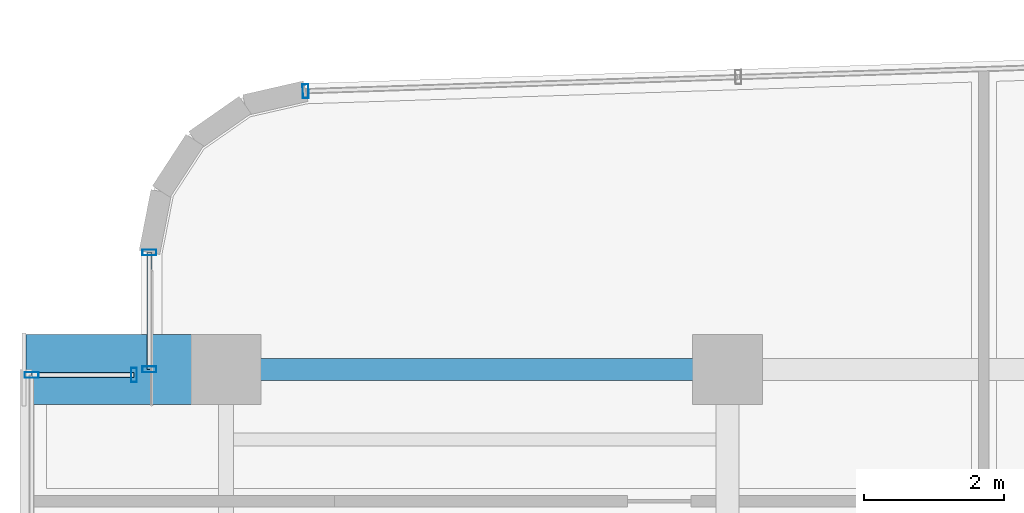
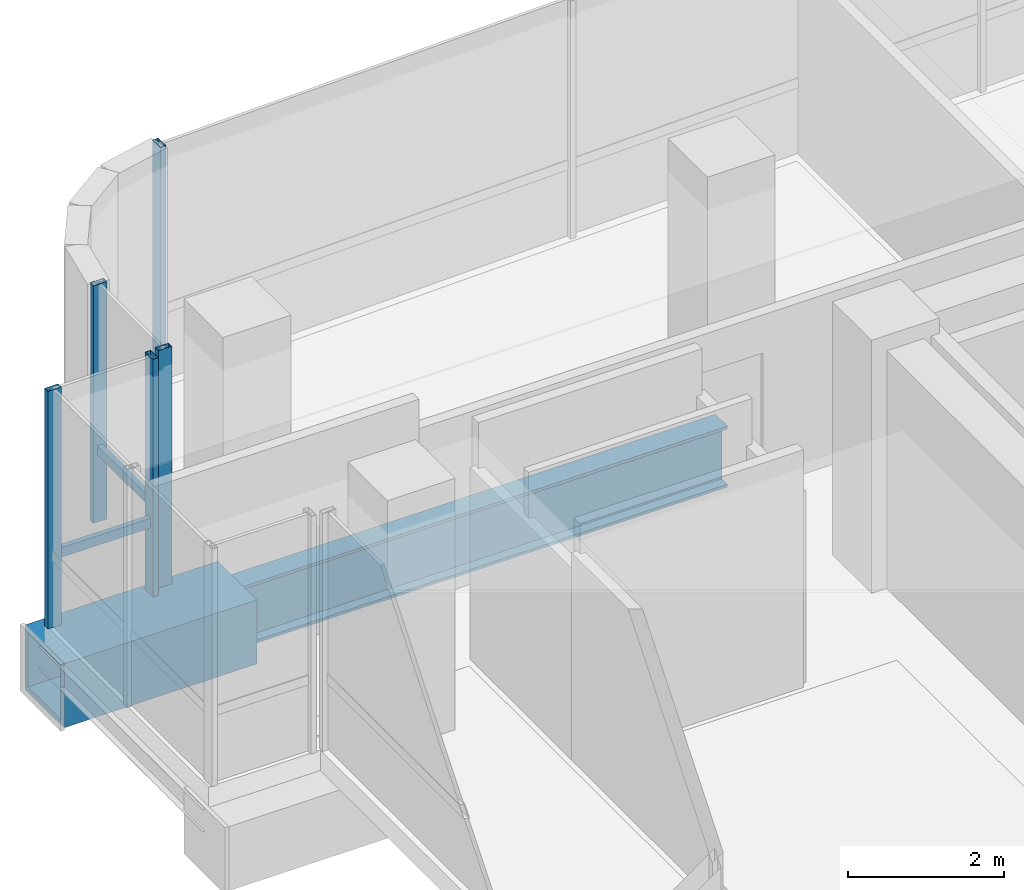
# One storey, part 18 of 35: 7 members, 2 beams, 4 elements without a shape of their own.
"""IFC4 building model written with IfcOpenShell, lengths in metres."""

from ifc_helpers import new_model, si_unit, direction, frame, origin, origin_2d, place, context, subcontext, project, spatial, hollow_rectangle, i_section, extrude, source, transform, mapped, material, material_profile, profile_set, type_object, element, aggregate, save


model = new_model("IFC4")

# Units and contexts
model_context = context("Model", 3, precision=1e-05, world=origin(), true_north=direction((0.0, 1.0)))
body_context = subcontext(model_context, "Body", "Model", "MODEL_VIEW")
ifc_project = project(units=[si_unit("LENGTHUNIT", "METRE"), si_unit("AREAUNIT", "SQUARE_METRE"), si_unit("VOLUMEUNIT", "CUBIC_METRE"), si_unit("PLANEANGLEUNIT", "RADIAN"), si_unit("MASSUNIT", "GRAM", prefix="KILO")], contexts=[model_context])

# Site, building, storey
site_placement = place(None, origin())
site = spatial("IfcSite", under=ifc_project, at=site_placement, CompositionType="ELEMENT")
building_placement = place(site_placement, origin())
building = spatial("IfcBuilding", under=site, at=building_placement, Name="Valdorenza Pilgrim Sanctuary Tower", CompositionType="ELEMENT")
storey_placement = place(building_placement, frame((0.0, 0.0, 192.35009765625)))
storey = spatial("IfcBuildingStorey", under=building, at=storey_placement, Name="L49", CompositionType="ELEMENT", Elevation=192.35009765625)

# Beams
ifc_material_1 = material(Name="Steel ASTM A572 Grade 42", Category="steel")
ifc_material_profile_1 = material_profile(ifc_material_1, hollow_rectangle(XDim=1.0, YDim=1.0, WallThickness=0.080078125, at=origin_2d()), Name="BOX 1000x1000x80")
ifc_profile_set_1 = profile_set([ifc_material_profile_1], Name="Steel ASTM A572 Grade 42")
beam_type_1 = type_object("IfcBeamType", Name="STR-BM-PROW-CANT", PredefinedType="BEAM", material=ifc_profile_set_1)
shared_shape_1 = source(origin(), body_context, "Body", "SweptSolid", [
    extrude(hollow_rectangle(XDim=1.0, YDim=1.0, WallThickness=0.080078125, at=origin_2d()), origin(), (0.0, 0.0, 1.0), 2.849853515625),
])
beam_1_placement = place(storey_placement, frame((-29.800048828125, 14.800048828125, -0.820068359375), z_axis=(-1.0, 0.0, 0.0), x_axis=(0.0, -1.0, 0.0)))
element("IfcBeam", 1, at=beam_1_placement, inside=storey, type_object=beam_type_1, Name="L49 Glass Box Cantilever Beam BOX-WA-L49-CT-N", PredefinedType="BEAM", context=body_context, shape_type="MappedRepresentation", body=[
    mapped(shared_shape_1, transform((0.0, 0.0, 0.0), x_axis=(1.0, 0.0, 0.0), y_axis=(0.0, 1.0, 0.0), z_axis=(0.0, 0.0, 1.0), scale=1.0)),
])
ifc_material_2 = material(Name="Steel ASTM A992 Grade 50", Category="steel")
ifc_material_profile_2 = material_profile(ifc_material_2, i_section(OverallWidth=0.31005859375, OverallDepth=0.949951171875, WebThickness=0.0244140625, FlangeThickness=0.0439453125, at=origin_2d()), Name="W36X256")
ifc_profile_set_2 = profile_set([ifc_material_profile_2], Name="Steel ASTM A992 Grade 50")
beam_type_2 = type_object("IfcBeamType", Name="STR-BM-GRD-W36B", PredefinedType="BEAM", material=ifc_profile_set_2)
shared_shape_2 = source(origin(), body_context, "Body", "SweptSolid", [
    extrude(i_section(OverallWidth=0.31005859375, OverallDepth=0.949951171875, WebThickness=0.0244140625, FlangeThickness=0.0439453125, at=origin_2d()), origin(), (0.0, 0.0, 1.0), 7.150146484375),
])
beam_2_placement = place(storey_placement, frame((-29.800048828125, 14.800048828125, -0.795166015625), z_axis=(1.0, 0.0, 0.0), x_axis=(0.0, 1.0, 0.0)))
element("IfcBeam", 2, at=beam_2_placement, inside=storey, type_object=beam_type_2, Name="L49 Floor Girder WA-XW-N2", PredefinedType="BEAM", context=body_context, shape_type="MappedRepresentation", body=[
    mapped(shared_shape_2, transform((0.0, 0.0, 0.0), x_axis=(1.0, 0.0, 0.0), y_axis=(0.0, 1.0, 0.0), z_axis=(0.0, 0.0, 1.0), scale=1.0)),
])

# Curtain wall, member
ifc_material_3 = material(Name="Curtain-wall IGU glazing", Category="glass")
curtain_wall_type = type_object("IfcCurtainWallType", Name="CW-SYS-02", PredefinedType="NOTDEFINED", material=ifc_material_3)
curtain_wall_1_placement = place(storey_placement, origin())
curtain_wall_1 = element("IfcCurtainWall", 3, at=curtain_wall_1_placement, inside=storey, type_object=curtain_wall_type, Name="L49 Curtain Wall CW-L49-BOX-WA-L49-N", PredefinedType="NOTDEFINED")
ifc_material_4 = material(Name="Anodised aluminium AW-6060", Category="aluminium")
ifc_material_profile_3 = material_profile(ifc_material_4, hollow_rectangle(XDim=0.074951171875, YDim=0.14990234375, WallThickness=0.00390625, at=origin_2d()), Name="ALU-T 150x75x4")
ifc_profile_set_3 = profile_set([ifc_material_profile_3], Name="Anodised aluminium AW-6060")
member_type_1 = type_object("IfcMemberType", Name="CW-TRN-02", PredefinedType="USERDEFINED", material=ifc_profile_set_3)
shared_shape_3 = source(origin(), body_context, "Body", "SweptSolid", [
    extrude(hollow_rectangle(XDim=0.074951171875, YDim=0.14990234375, WallThickness=0.00390625, at=origin_2d()), origin(), (0.0, 0.0, 1.0), 1.4599609375),
])
member_1_placement = place(storey_placement, frame((-32.570068359375, 14.719970703125, 1.119873046875), z_axis=(1.0, 0.0, 0.0), x_axis=(0.0, 1.0, 0.0)))
member_1 = element("IfcMember", 4, at=member_1_placement, type_object=member_type_1, Name="CW-L49-BOX-WA-L49-N Transom 1", ObjectType="TRANSOM", PredefinedType="USERDEFINED", context=body_context, shape_type="MappedRepresentation", body=[
    mapped(shared_shape_3, transform((0.0, 0.0, 0.0), x_axis=(1.0, 0.0, 0.0), y_axis=(0.0, 1.0, 0.0), z_axis=(0.0, 0.0, 1.0), scale=1.0)),
])

# Curtain wall, members
curtain_wall_2_placement = place(storey_placement, origin())
curtain_wall_2 = element("IfcCurtainWall", 5, at=curtain_wall_2_placement, inside=storey, type_object=curtain_wall_type, Name="L49 Curtain Wall CW-L49-1-1S2", PredefinedType="NOTDEFINED")
shared_shape_4 = source(origin(), body_context, "Body", "SweptSolid", [
    extrude(hollow_rectangle(XDim=0.074951171875, YDim=0.14990234375, WallThickness=0.00390625, at=origin_2d()), origin(), (0.0, 0.0, 1.0), 1.666259765625),
])
member_2_placement = place(storey_placement, frame((-30.889892578125, 14.800048828125, 1.119873046875), z_axis=(0.0, 1.0, 0.0), x_axis=(-1.0, 0.0, 0.0)))
member_2 = element("IfcMember", 6, at=member_2_placement, type_object=member_type_1, Name="CW-L49-1-1S2 Transom 1", ObjectType="TRANSOM", PredefinedType="USERDEFINED", context=body_context, shape_type="MappedRepresentation", body=[
    mapped(shared_shape_4, transform((0.0, 0.0, 0.0), x_axis=(1.0, 0.0, 0.0), y_axis=(0.0, 1.0, 0.0), z_axis=(0.0, 0.0, 1.0), scale=1.0)),
])
ifc_material_profile_4 = material_profile(ifc_material_4, hollow_rectangle(XDim=0.0849609375, YDim=0.199951171875, WallThickness=0.0048828125, at=origin_2d()), Name="ALU-M 200x85x5")
ifc_profile_set_4 = profile_set([ifc_material_profile_4], Name="Anodised aluminium AW-6060")
member_type_2 = type_object("IfcMemberType", Name="CW-MUL-02", PredefinedType="MULLION", material=ifc_profile_set_4)
shared_shape_5 = source(origin(), body_context, "Body", "SweptSolid", [
    extrude(hollow_rectangle(XDim=0.0849609375, YDim=0.199951171875, WallThickness=0.0048828125, at=origin_2d()), origin(), (0.0, 0.0, 1.0), 3.7099609375),
])
member_3_placement = place(storey_placement, frame((-30.889892578125, 14.800048828125, 0.0), z_axis=(0.0, 0.0, 1.0), x_axis=(0.0, 1.0, 0.0)))
member_3 = element("IfcMember", 7, at=member_3_placement, type_object=member_type_2, Name="CW-L49-1-1S2 Mullion 1", PredefinedType="MULLION", context=body_context, shape_type="MappedRepresentation", body=[
    mapped(shared_shape_5, transform((0.0, 0.0, 0.0), x_axis=(1.0, 0.0, 0.0), y_axis=(0.0, 1.0, 0.0), z_axis=(0.0, 0.0, 1.0), scale=1.0)),
])
member_4_placement = place(storey_placement, frame((-30.889892578125, 16.46630859375, 0.0), z_axis=(0.0, 0.0, 1.0), x_axis=(0.0, 1.0, 0.0)))
member_4 = element("IfcMember", 8, at=member_4_placement, type_object=member_type_2, Name="CW-L49-1-1S2 Mullion 2", PredefinedType="MULLION", context=body_context, shape_type="MappedRepresentation", body=[
    mapped(shared_shape_5, transform((0.0, 0.0, 0.0), x_axis=(1.0, 0.0, 0.0), y_axis=(0.0, 1.0, 0.0), z_axis=(0.0, 0.0, 1.0), scale=1.0)),
])
aggregate(curtain_wall_2, [member_3, member_4, member_2])

# Curtain wall, member
curtain_wall_3_placement = place(storey_placement, origin())
curtain_wall_3 = element("IfcCurtainWall", 9, at=curtain_wall_3_placement, inside=storey, type_object=curtain_wall_type, Name="L49 Curtain Wall CW-L49-1-6", PredefinedType="NOTDEFINED")
member_5_placement = place(storey_placement, frame((-28.663818359375, 18.76611328125, 0.0), z_axis=(0.0, 0.0, 1.0), x_axis=(0.999470282811, 0.032544642846, 0.0)))
member_5 = element("IfcMember", 10, at=member_5_placement, type_object=member_type_2, Name="CW-L49-1-6 Mullion 1", PredefinedType="MULLION", context=body_context, shape_type="MappedRepresentation", body=[
    mapped(shared_shape_5, transform((0.0, 0.0, 0.0), x_axis=(1.0, 0.0, 0.0), y_axis=(0.0, 1.0, 0.0), z_axis=(0.0, 0.0, 1.0), scale=1.0)),
])
aggregate(curtain_wall_3, [member_5])

curtain_wall_4_placement = place(storey_placement, origin())
curtain_wall_4 = element("IfcCurtainWall", 11, at=curtain_wall_4_placement, inside=storey, type_object=curtain_wall_type, Name="L49 Curtain Wall CW-L49-BOX-WA-L49-F", PredefinedType="NOTDEFINED")
member_6_placement = place(storey_placement, frame((-32.570068359375, 14.719970703125, 0.0), z_axis=(0.0, 0.0, 1.0), x_axis=(0.0, 1.0, 0.0)))
member_6 = element("IfcMember", 12, at=member_6_placement, type_object=member_type_2, Name="CW-L49-BOX-WA-L49-F Mullion 3", PredefinedType="MULLION", context=body_context, shape_type="MappedRepresentation", body=[
    mapped(shared_shape_5, transform((0.0, 0.0, 0.0), x_axis=(1.0, 0.0, 0.0), y_axis=(0.0, 1.0, 0.0), z_axis=(0.0, 0.0, 1.0), scale=1.0)),
])
aggregate(curtain_wall_4, [member_6])

# Member
member_7_placement = place(storey_placement, frame((-31.110107421875, 14.719970703125, 0.0), z_axis=(0.0, 0.0, 1.0), x_axis=(1.0, 0.0, 0.0)))
member_7 = element("IfcMember", 13, at=member_7_placement, type_object=member_type_2, Name="CW-L49-BOX-WA-L49-N Mullion 2", PredefinedType="MULLION", context=body_context, shape_type="MappedRepresentation", body=[
    mapped(shared_shape_5, transform((0.0, 0.0, 0.0), x_axis=(1.0, 0.0, 0.0), y_axis=(0.0, 1.0, 0.0), z_axis=(0.0, 0.0, 1.0), scale=1.0)),
])

aggregate(curtain_wall_1, [member_7, member_1])

save(model, "model.ifc")
